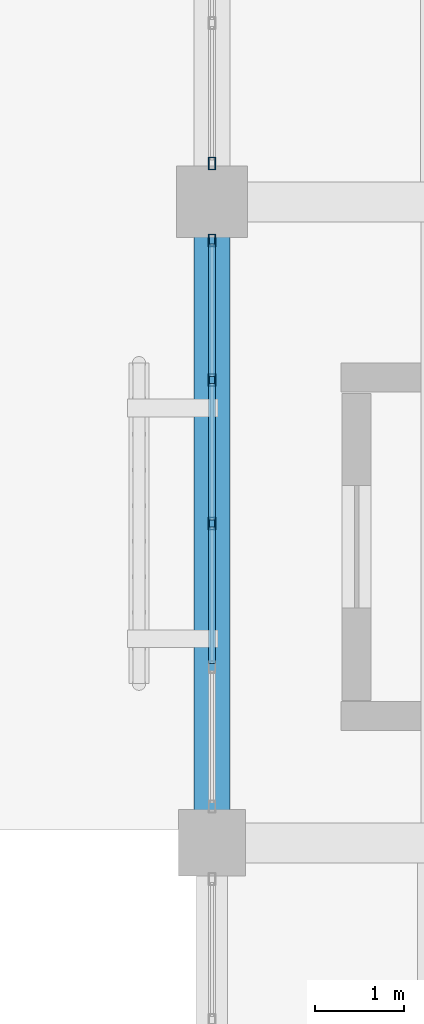
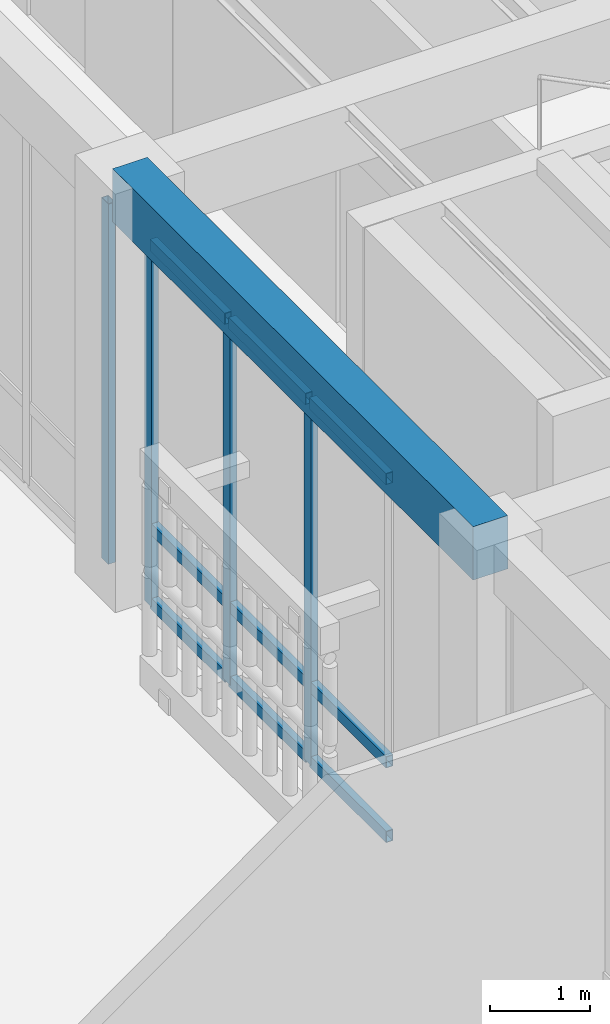
# One storey, part 97 of 169: 13 members, 1 beam, 2 elements without a shape of their own.
"""IFC4 building model written with IfcOpenShell, lengths in metres."""

import ifcopenshell
import ifcopenshell.guid

model = None  # the IFC model being written
_history = None  # IfcOwnerHistory: only IFC2X3 demands one
_inside = {}  # id of a spatial element -> (the spatial element, [elements in it])
_under = {}  # id of a project, library or spatial element -> (it, [spatial elements below it])
_declared = {}  # id of a project -> (the project, [libraries it declares])
_typed = {}  # id of a type object -> (the type object, [elements of that type])
_made_of = {}  # id of a material, layer set ... -> (it, [elements and type objects made of it])


def new_model(schema):
    """Start an empty IFC model of exactly this schema.

    Asked for "IFC4X3", IfcOpenShell would pick the latest addendum, in which some entities
    have other attributes; the version numbers below select the first issue.
    IFC2X3 requires an IfcOwnerHistory on every rooted entity: one is made here for all.
    """
    global model, _history
    if schema == "IFC4X3":
        model = ifcopenshell.file(schema_version=(4, 3, 0, 0))
    else:
        model = ifcopenshell.file(schema=schema)
    _inside.clear()
    _under.clear()
    _declared.clear()
    _typed.clear()
    _made_of.clear()
    _history = None
    if model.schema == "IFC2X3":
        org = make("IfcOrganization", Name="unknown")
        user = make(
            "IfcPersonAndOrganization",
            ThePerson=make("IfcPerson", FamilyName="unknown"),
            TheOrganization=org,
        )
        app = make(
            "IfcApplication",
            ApplicationDeveloper=org,
            Version="unknown",
            ApplicationFullName="unknown",
            ApplicationIdentifier="unknown",
        )
        _history = make(
            "IfcOwnerHistory",
            OwningUser=user,
            OwningApplication=app,
            ChangeAction="ADDED",
            CreationDate=0,
        )
    return model


def make(cls, **values):
    """One entity of the class cls with the attributes given. An attribute that is None is left unset."""
    return model.create_entity(
        cls, **{name: value for name, value in values.items() if value is not None}
    )


def rooted(cls, **values):
    """An entity with a GlobalId (a new one), such as an element, a storey or a relation."""
    return make(cls, GlobalId=ifcopenshell.guid.new(), OwnerHistory=_history, **values)


def si_unit(unit_type, name, prefix=None):
    """IfcSIUnit, for example si_unit("LENGTHUNIT", "METRE", prefix="MILLI")."""
    return make("IfcSIUnit", UnitType=unit_type, Prefix=prefix, Name=name)


def assignment(units):
    """IfcUnitAssignment: the units of a project."""
    return None if units is None else make("IfcUnitAssignment", Units=units)


def point(xyz):
    """IfcCartesianPoint."""
    return None if xyz is None else make("IfcCartesianPoint", Coordinates=xyz)


def direction(xyz):
    """IfcDirection."""
    return None if xyz is None else make("IfcDirection", DirectionRatios=xyz)


def frame(location, z_axis=None, x_axis=None):
    """IfcAxis2Placement3D, a coordinate frame: its origin and axes. An axis left out is left unset."""
    return make(
        "IfcAxis2Placement3D",
        Location=point(location),
        Axis=direction(z_axis),
        RefDirection=direction(x_axis),
    )


def frame_2d(location, x_axis=None):
    """IfcAxis2Placement2D, a coordinate frame in the plane: its origin and x axis."""
    return make(
        "IfcAxis2Placement2D", Location=point(location), RefDirection=direction(x_axis)
    )


def origin():
    """The frame at (0, 0, 0) with its axes left unset."""
    return frame((0.0, 0.0, 0.0))


def origin_2d():
    """The frame at (0, 0) in the plane with its x axis left unset."""
    return frame_2d((0.0, 0.0))


def place(relative_to, where):
    """IfcLocalPlacement: puts the frame where relative to a parent placement (None: the world)."""
    return make(
        "IfcLocalPlacement", PlacementRelTo=relative_to, RelativePlacement=where
    )


def context(
    kind, dimensions, precision=None, world=None, true_north=None, identifier=None
):
    """IfcGeometricRepresentationContext, for example the 3D "Model" context."""
    return make(
        "IfcGeometricRepresentationContext",
        ContextIdentifier=identifier,
        ContextType=kind,
        CoordinateSpaceDimension=dimensions,
        Precision=precision,
        WorldCoordinateSystem=world,
        TrueNorth=true_north,
    )


def subcontext(parent, identifier, kind, view, scale=None):
    """IfcGeometricRepresentationSubContext, for example "Body" below "Model"."""
    return make(
        "IfcGeometricRepresentationSubContext",
        ContextIdentifier=identifier,
        ContextType=kind,
        ParentContext=parent,
        TargetScale=scale,
        TargetView=view,
    )


def project(units=None, contexts=None):
    """IfcProject with its units and contexts."""
    return rooted(
        "IfcProject",
        Name="project",
        RepresentationContexts=contexts,
        UnitsInContext=assignment(units),
    )


def spatial(cls, under=None, at=None, **own):
    """A site, building, storey or space (cls), placed at a placement, below another one or the project."""
    s = rooted(cls, ObjectPlacement=at, **own)
    if under is not None:
        _under.setdefault(under.id(), (under, []))[1].append(s)
    return s


def profile(cls, at=None, kind="AREA", **sizes):
    """A parametric profile (cls). Its sizes go by their IFC names, for example OverallWidth=200.0."""
    return make(cls, ProfileType=kind, Position=at, **sizes)


def rectangle(**sizes):
    """IfcRectangleProfileDef."""
    return profile("IfcRectangleProfileDef", **sizes)


def hollow_rectangle(**sizes):
    """IfcRectangleHollowProfileDef."""
    return profile("IfcRectangleHollowProfileDef", **sizes)


def extrude(swept, where, along, depth):
    """IfcExtrudedAreaSolid: the profile swept, set in the frame where, extruded along a direction by depth."""
    return make(
        "IfcExtrudedAreaSolid",
        SweptArea=swept,
        Position=where,
        ExtrudedDirection=direction(along),
        Depth=depth,
    )


def shape(context_of_items, identifier, shape_type, items):
    """IfcShapeRepresentation: the items that make up one representation, for example the "Body"."""
    return make(
        "IfcShapeRepresentation",
        ContextOfItems=context_of_items,
        RepresentationIdentifier=identifier,
        RepresentationType=shape_type,
        Items=items,
    )


def material(Name=None, Category=None):
    """IfcMaterial."""
    return make("IfcMaterial", Name=Name, Category=Category)


def layer(
    of_material, thickness, ventilated=None, Name=None, Category=None, Priority=None
):
    """IfcMaterialLayer: one layer of a wall or slab, of a material (None: an air gap)."""
    return make(
        "IfcMaterialLayer",
        Material=of_material,
        LayerThickness=thickness,
        IsVentilated=ventilated,
        Name=Name,
        Category=Category,
        Priority=Priority,
    )


def layer_set(layers, Name=None):
    """IfcMaterialLayerSet."""
    return make("IfcMaterialLayerSet", MaterialLayers=layers, LayerSetName=Name)


def material_profile(
    of_material, cross_section, Name=None, Category=None, Priority=None
):
    """IfcMaterialProfile: a cross section and its material."""
    return make(
        "IfcMaterialProfile",
        Name=Name,
        Material=of_material,
        Profile=cross_section,
        Priority=Priority,
        Category=Category,
    )


def profile_set(profiles, Name=None, composite=None):
    """IfcMaterialProfileSet."""
    return make(
        "IfcMaterialProfileSet",
        Name=Name,
        MaterialProfiles=profiles,
        CompositeProfile=composite,
    )


def made_of(thing, what):
    """Note that an element or type object is made of a material, layer set ...; save() writes the relation."""
    if what is not None:
        _made_of.setdefault(what.id(), (what, []))[1].append(thing)
    return thing


def type_object(cls, material=None, **own):
    """A type object (cls), such as IfcWallType, which elements share."""
    return made_of(rooted(cls, **own), material)


def element(
    cls,
    number,
    at=None,
    inside=None,
    cuts=None,
    type_object=None,
    material=None,
    context=None,
    identifier="Body",
    shape_type=None,
    held_by="IfcProductDefinitionShape",
    body=None,
    shapes=None,
    **own,
):
    """One element of the class cls, such as IfcWall. Its Tag is "e" and its number.

    at: its placement. inside: the storey or other place that contains it. cuts: it is an
    opening in that element (IfcRelVoidsElement). A single representation is given by context,
    identifier, shape_type and body (its items); several are given by shapes. held_by: the class
    of the entity that holds the representations. save() writes the other relations.
    """
    e = rooted(cls, Tag="e%d" % number, ObjectPlacement=at, **own)
    if body is not None:
        shapes = [shape(context, identifier, shape_type, body)]
    if shapes is not None:
        e.Representation = make(held_by, Representations=shapes)
    if inside is not None:
        _inside.setdefault(inside.id(), (inside, []))[1].append(e)
    if cuts is not None:
        rooted(
            "IfcRelVoidsElement", RelatingBuildingElement=cuts, RelatedOpeningElement=e
        )
    if type_object is not None:
        _typed.setdefault(type_object.id(), (type_object, []))[1].append(e)
    return made_of(e, material)


def aggregate(whole, parts):
    """IfcRelAggregates: a whole, such as a stair, and the parts it consists of."""
    return rooted("IfcRelAggregates", RelatingObject=whole, RelatedObjects=parts)


def save(model, path):
    """Write the relations noted so far, then the file.

    IfcRelAggregates (storeys below a building ...), IfcRelContainedInSpatialStructure (elements
    in a storey), IfcRelDefinesByType, IfcRelAssociatesMaterial and IfcRelDeclares: one each for
    every whole, place, type object, material and project.
    """
    for whole, parts in _under.values():
        aggregate(whole, parts)
    for where, things in _inside.values():
        rooted(
            "IfcRelContainedInSpatialStructure",
            RelatedElements=things,
            RelatingStructure=where,
        )
    for kind, things in _typed.values():
        rooted("IfcRelDefinesByType", RelatedObjects=things, RelatingType=kind)
    for what, things in _made_of.values():
        rooted("IfcRelAssociatesMaterial", RelatedObjects=things, RelatingMaterial=what)
    for by, libraries in _declared.values():
        rooted("IfcRelDeclares", RelatingContext=by, RelatedDefinitions=libraries)
    model.write(path)


model = new_model("IFC4")

# Units and contexts
model_context = context("Model", 3, precision=1e-05, world=origin(), true_north=direction((0.0, 1.0)))
body_context = subcontext(model_context, "Body", "Model", "MODEL_VIEW")
ifc_project = project(units=[si_unit("LENGTHUNIT", "METRE"), si_unit("AREAUNIT", "SQUARE_METRE"), si_unit("VOLUMEUNIT", "CUBIC_METRE"), si_unit("PLANEANGLEUNIT", "RADIAN"), si_unit("MASSUNIT", "GRAM", prefix="KILO")], contexts=[model_context])

# Site, building, storey
site_placement = place(None, origin())
site = spatial("IfcSite", under=ifc_project, at=site_placement, CompositionType="ELEMENT")
building_placement = place(site_placement, origin())
building = spatial("IfcBuilding", under=site, at=building_placement, Name="Mazaris Harbour Polytechnic", CompositionType="ELEMENT")
storey_placement = place(building_placement, origin())
storey = spatial("IfcBuildingStorey", under=building, at=storey_placement, Name="L00", CompositionType="ELEMENT", Elevation=0.0)

# Curtain wall, members
ifc_material_1 = material(Name="Anodised Bronze Aluminium and Low-E Glass", Category="aluminium")
ifc_layer = layer(ifc_material_1, 0.169921875, Name="Anodised Bronze Aluminium and Low-E Glass")
ifc_layer_set = layer_set([ifc_layer], Name="Anodised Bronze Aluminium and Low-E Glass")
curtain_wall_type = type_object("IfcCurtainWallType", Name="Studio North-Light Curtain Wall", PredefinedType="NOTDEFINED", material=ifc_layer_set)
curtain_wall_1_placement = place(storey_placement, origin())
curtain_wall_1 = element("IfcCurtainWall", 1, at=curtain_wall_1_placement, inside=storey, type_object=curtain_wall_type, Name="V5 L00 Curtain Wall 202", PredefinedType="NOTDEFINED")
ifc_material_2 = material(Name="Anodised Bronze Steel S355", Category="steel")
ifc_material_profile_1 = material_profile(ifc_material_2, hollow_rectangle(XDim=0.080078125, YDim=0.139892578125, WallThickness=0.00634765625, at=origin_2d()), Name="RHS 80x140x6.3")
ifc_profile_set_1 = profile_set([ifc_material_profile_1], Name="Anodised Bronze Steel S355")
member_type_1 = type_object("IfcMemberType", Name="Curtain Mullion RHS80x140", PredefinedType="MULLION", material=ifc_profile_set_1)
member_1_placement = place(storey_placement, frame((158.39990234375, 75.16796875, 0.0), z_axis=(0.0, 0.0, 1.0), x_axis=(1.0, 0.0, 0.0)))
member_1 = element("IfcMember", 2, at=member_1_placement, type_object=member_type_1, Name="CW-03 mullion 1", PredefinedType="MULLION", context=body_context, shape_type="SweptSolid", body=[
    extrude(hollow_rectangle(XDim=0.080078125, YDim=0.139892578125, WallThickness=0.00634765625, at=origin_2d()), origin(), (0.0, 0.0, 1.0), 4.43994140625),
])
member_2_placement = place(storey_placement, frame((158.39990234375, 73.59765625, 0.0), z_axis=(0.0, 0.0, 1.0), x_axis=(1.0, 0.0, 0.0)))
member_2 = element("IfcMember", 3, at=member_2_placement, type_object=member_type_1, Name="CW-03 mullion 2", PredefinedType="MULLION", context=body_context, shape_type="SweptSolid", body=[
    extrude(hollow_rectangle(XDim=0.080078125, YDim=0.139892578125, WallThickness=0.00634765625, at=origin_2d()), origin(), (0.0, 0.0, 1.0), 4.43994140625),
])
member_3_placement = place(storey_placement, frame((158.39990234375, 71.987548828125, 0.0), z_axis=(0.0, 0.0, 1.0), x_axis=(1.0, 0.0, 0.0)))
member_3 = element("IfcMember", 4, at=member_3_placement, type_object=member_type_1, Name="CW-03 mullion 3", PredefinedType="MULLION", context=body_context, shape_type="SweptSolid", body=[
    extrude(hollow_rectangle(XDim=0.080078125, YDim=0.139892578125, WallThickness=0.00634765625, at=origin_2d()), origin(), (0.0, 0.0, 1.0), 4.43994140625),
])

# Curtain wall, member
curtain_wall_2_placement = place(storey_placement, origin())
curtain_wall_2 = element("IfcCurtainWall", 5, at=curtain_wall_2_placement, inside=storey, type_object=curtain_wall_type, Name="V5 L00 Curtain Wall 203", PredefinedType="NOTDEFINED")
member_4_placement = place(storey_placement, frame((158.39990234375, 76.031982421875, 0.0), z_axis=(0.0, 0.0, 1.0), x_axis=(1.0, 0.0, 0.0)))
member_4 = element("IfcMember", 6, at=member_4_placement, type_object=member_type_1, Name="CW-03 mullion 5", PredefinedType="MULLION", context=body_context, shape_type="SweptSolid", body=[
    extrude(hollow_rectangle(XDim=0.080078125, YDim=0.139892578125, WallThickness=0.00634765625, at=origin_2d()), origin(), (0.0, 0.0, 1.0), 4.389892578125),
])
aggregate(curtain_wall_2, [member_4])

# Member
ifc_material_3 = material(Name="Anodised Bronze Steel S355", Category="steel")
ifc_material_profile_2 = material_profile(ifc_material_3, hollow_rectangle(XDim=0.080078125, YDim=0.139892578125, WallThickness=0.00634765625, at=origin_2d()), Name="RHS 80x140x6.3")
ifc_profile_set_2 = profile_set([ifc_material_profile_2], Name="Anodised Bronze Steel S355")
member_type_2 = type_object("IfcMemberType", Name="Curtain Transom RHS80x140", PredefinedType="USERDEFINED", material=ifc_profile_set_2)
member_5_placement = place(storey_placement, frame((158.39990234375, 75.1279296875, 0.0400390625), z_axis=(0.0, -1.0, 0.0), x_axis=(1.0, 0.0, 0.0)))
member_5 = element("IfcMember", 7, at=member_5_placement, type_object=member_type_2, Name="CW-03 transom 1.1", ObjectType="TRANSOM", PredefinedType="USERDEFINED", context=body_context, shape_type="SweptSolid", body=[
    extrude(hollow_rectangle(XDim=0.080078125, YDim=0.139892578125, WallThickness=0.00634765625, at=origin_2d()), origin(), (0.0, 0.0, 1.0), 1.490234375),
])

member_6_placement = place(storey_placement, frame((158.39990234375, 75.1279296875, 0.949951171875), z_axis=(0.0, -1.0, 0.0), x_axis=(1.0, 0.0, 0.0)))
member_6 = element("IfcMember", 8, at=member_6_placement, type_object=member_type_2, Name="CW-03 transom 1.2", ObjectType="TRANSOM", PredefinedType="USERDEFINED", context=body_context, shape_type="SweptSolid", body=[
    extrude(hollow_rectangle(XDim=0.080078125, YDim=0.139892578125, WallThickness=0.00634765625, at=origin_2d()), origin(), (0.0, 0.0, 1.0), 1.490234375),
])

member_7_placement = place(storey_placement, frame((158.39990234375, 75.1279296875, 4.39990234375), z_axis=(0.0, -1.0, 0.0), x_axis=(1.0, 0.0, 0.0)))
member_7 = element("IfcMember", 9, at=member_7_placement, type_object=member_type_2, Name="CW-03 transom 1.3", ObjectType="TRANSOM", PredefinedType="USERDEFINED", context=body_context, shape_type="SweptSolid", body=[
    extrude(hollow_rectangle(XDim=0.080078125, YDim=0.139892578125, WallThickness=0.00634765625, at=origin_2d()), origin(), (0.0, 0.0, 1.0), 1.490234375),
])

member_8_placement = place(storey_placement, frame((158.39990234375, 73.557861328125, 0.0400390625), z_axis=(0.0, -1.0, 0.0), x_axis=(1.0, 0.0, 0.0)))
member_8 = element("IfcMember", 10, at=member_8_placement, type_object=member_type_2, Name="CW-03 transom 2.1", ObjectType="TRANSOM", PredefinedType="USERDEFINED", context=body_context, shape_type="SweptSolid", body=[
    extrude(hollow_rectangle(XDim=0.080078125, YDim=0.139892578125, WallThickness=0.00634765625, at=origin_2d()), origin(), (0.0, 0.0, 1.0), 1.5302734375),
])

member_9_placement = place(storey_placement, frame((158.39990234375, 73.557861328125, 0.949951171875), z_axis=(0.0, -1.0, 0.0), x_axis=(1.0, 0.0, 0.0)))
member_9 = element("IfcMember", 11, at=member_9_placement, type_object=member_type_2, Name="CW-03 transom 2.2", ObjectType="TRANSOM", PredefinedType="USERDEFINED", context=body_context, shape_type="SweptSolid", body=[
    extrude(hollow_rectangle(XDim=0.080078125, YDim=0.139892578125, WallThickness=0.00634765625, at=origin_2d()), origin(), (0.0, 0.0, 1.0), 1.5302734375),
])

member_10_placement = place(storey_placement, frame((158.39990234375, 73.557861328125, 4.39990234375), z_axis=(0.0, -1.0, 0.0), x_axis=(1.0, 0.0, 0.0)))
member_10 = element("IfcMember", 12, at=member_10_placement, type_object=member_type_2, Name="CW-03 transom 2.3", ObjectType="TRANSOM", PredefinedType="USERDEFINED", context=body_context, shape_type="SweptSolid", body=[
    extrude(hollow_rectangle(XDim=0.080078125, YDim=0.139892578125, WallThickness=0.00634765625, at=origin_2d()), origin(), (0.0, 0.0, 1.0), 1.5302734375),
])

member_11_placement = place(storey_placement, frame((158.39990234375, 71.947509765625, 0.0400390625), z_axis=(0.0, -1.0, 0.0), x_axis=(1.0, 0.0, 0.0)))
member_11 = element("IfcMember", 13, at=member_11_placement, type_object=member_type_2, Name="CW-03 transom 3.1", ObjectType="TRANSOM", PredefinedType="USERDEFINED", context=body_context, shape_type="SweptSolid", body=[
    extrude(hollow_rectangle(XDim=0.080078125, YDim=0.139892578125, WallThickness=0.00634765625, at=origin_2d()), origin(), (0.0, 0.0, 1.0), 1.5302734375),
])

member_12_placement = place(storey_placement, frame((158.39990234375, 71.947509765625, 0.949951171875), z_axis=(0.0, -1.0, 0.0), x_axis=(1.0, 0.0, 0.0)))
member_12 = element("IfcMember", 14, at=member_12_placement, type_object=member_type_2, Name="CW-03 transom 3.2", ObjectType="TRANSOM", PredefinedType="USERDEFINED", context=body_context, shape_type="SweptSolid", body=[
    extrude(hollow_rectangle(XDim=0.080078125, YDim=0.139892578125, WallThickness=0.00634765625, at=origin_2d()), origin(), (0.0, 0.0, 1.0), 1.5302734375),
])

member_13_placement = place(storey_placement, frame((158.39990234375, 71.947509765625, 4.39990234375), z_axis=(0.0, -1.0, 0.0), x_axis=(1.0, 0.0, 0.0)))
member_13 = element("IfcMember", 15, at=member_13_placement, type_object=member_type_2, Name="CW-03 transom 3.3", ObjectType="TRANSOM", PredefinedType="USERDEFINED", context=body_context, shape_type="SweptSolid", body=[
    extrude(hollow_rectangle(XDim=0.080078125, YDim=0.139892578125, WallThickness=0.00634765625, at=origin_2d()), origin(), (0.0, 0.0, 1.0), 1.5302734375),
])

aggregate(curtain_wall_1, [member_1, member_2, member_3, member_5, member_6, member_7, member_8, member_9, member_10, member_11, member_12, member_13])

# Beam
ifc_material_4 = material(Name="Concrete C35/45", Category="concrete")
ifc_material_profile_3 = material_profile(ifc_material_4, rectangle(XDim=0.39990234375, YDim=0.64990234375, at=origin_2d()), Name="RECT400x650")
ifc_profile_set_3 = profile_set([ifc_material_profile_3], Name="Concrete C35/45")
beam_type = type_object("IfcBeamType", Name="RC Girder 400x650", PredefinedType="BEAM", material=ifc_profile_set_3)
beam_placement = place(storey_placement, frame((158.39990234375, 68.39990234375, 4.77490234375), z_axis=(0.0, 1.0, 0.0), x_axis=(-1.0, 0.0, 0.0)))
element("IfcBeam", 16, at=beam_placement, inside=storey, type_object=beam_type, Name="V5 L00 Tie Girder 2796", PredefinedType="BEAM", context=body_context, shape_type="SweptSolid", body=[
    extrude(rectangle(XDim=0.39990234375, YDim=0.64990234375, at=origin_2d()), origin(), (0.0, 0.0, 1.0), 7.2001953125),
])

save(model, "model.ifc")
